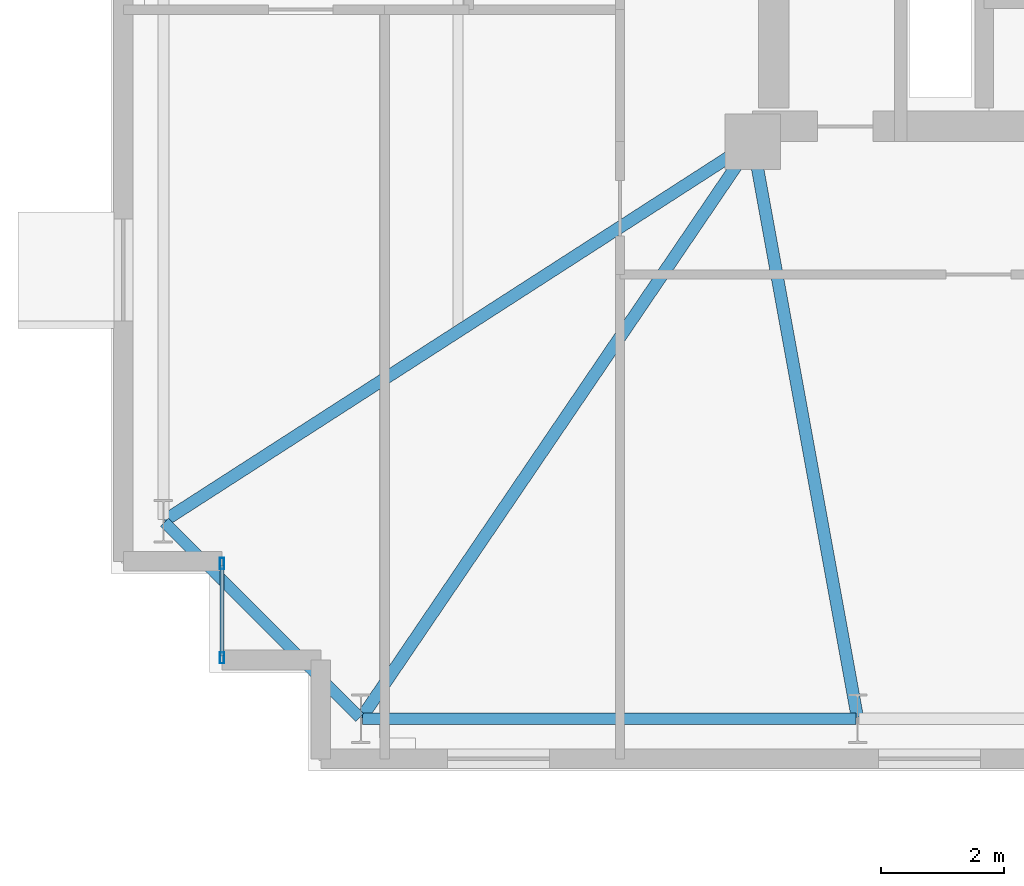
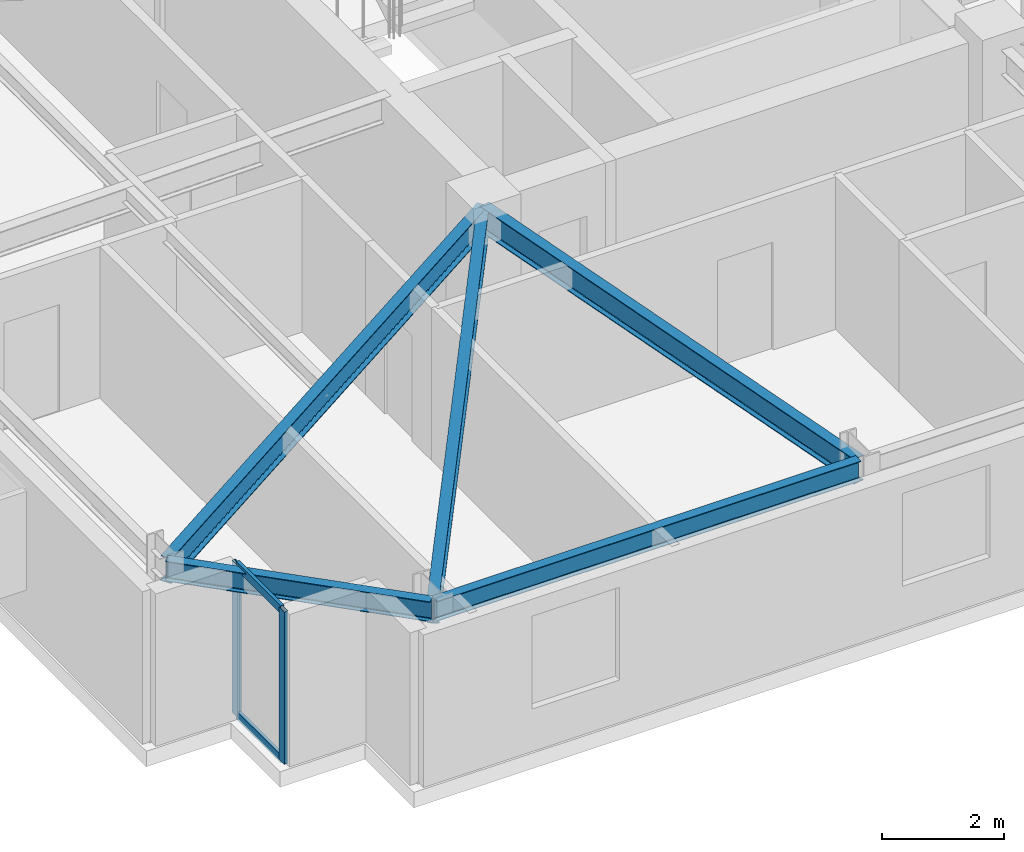
# One storey, part 3 of 17: 5 beams, 4 members, 1 element without a shape of its own.
"""IFC4 building model written with IfcOpenShell, lengths in metres."""

from ifc_helpers import new_model, si_unit, direction, frame, origin, origin_2d, place, context, subcontext, project, spatial, hollow_rectangle, i_section, extrude, material, layer, layer_set, material_profile, profile_set, type_object, element, aggregate, save


model = new_model("IFC4")

# Units and contexts
model_context = context("Model", 3, precision=1e-05, world=origin(), true_north=direction((0.0, 1.0)))
body_context = subcontext(model_context, "Body", "Model", "MODEL_VIEW")
ifc_project = project(units=[si_unit("LENGTHUNIT", "METRE"), si_unit("AREAUNIT", "SQUARE_METRE"), si_unit("VOLUMEUNIT", "CUBIC_METRE"), si_unit("PLANEANGLEUNIT", "RADIAN"), si_unit("MASSUNIT", "GRAM", prefix="KILO")], contexts=[model_context])

# Site, building, storey
site_placement = place(None, origin())
site = spatial("IfcSite", under=ifc_project, at=site_placement, CompositionType="ELEMENT")
building_placement = place(site_placement, origin())
building = spatial("IfcBuilding", under=site, at=building_placement, Name="Qobustan Lattice House", CompositionType="ELEMENT")
storey_placement = place(building_placement, frame((0.0, 0.0, 144.39990234375)))
storey = spatial("IfcBuildingStorey", under=building, at=storey_placement, Name="L40", CompositionType="ELEMENT", Elevation=144.39990234375)

# Beams
ifc_material_1 = material(Name="Steel S355", Category="steel")
ifc_material_profile_1 = material_profile(ifc_material_1, i_section(OverallWidth=0.199951171875, OverallDepth=0.5, WebThickness=0.01025390625, FlangeThickness=0.01611328125, FilletRadius=0.02099609375, at=origin_2d()), Name="IPE500")
ifc_profile_set_1 = profile_set([ifc_material_profile_1], Name="Steel S355")
beam_type_1 = type_object("IfcBeamType", Name="BM-FLG-IPE500", PredefinedType="USERDEFINED", material=ifc_profile_set_1)
beam_1_placement = place(storey_placement, frame((-25.135986328125, -14.92919921875, 2.7900390625), z_axis=(0.561834572616, 0.827249607442, 0.0), x_axis=(-0.827249607442, 0.561834572616, 0.0)))
element("IfcBeam", 1, at=beam_1_placement, inside=storey, type_object=beam_type_1, Name="L40 primary floor girder RAD-S1W", ObjectType="GIRDER", PredefinedType="USERDEFINED", context=body_context, shape_type="SweptSolid", body=[
    extrude(i_section(OverallWidth=0.199951171875, OverallDepth=0.5, WebThickness=0.01025390625, FlangeThickness=0.01611328125, FilletRadius=0.02099609375, at=origin_2d()), origin(), (0.0, 0.0, 1.0), 11.25244140625),
])
beam_2_placement = place(storey_placement, frame((-17.1044921875, -14.92529296875, 2.7900390625), z_axis=(-0.178871801984, 0.983872389314, 0.0), x_axis=(-0.983872389314, -0.178871801984, 0.0)))
element("IfcBeam", 2, at=beam_2_placement, inside=storey, type_object=beam_type_1, Name="L40 primary floor girder RAD-S2", ObjectType="GIRDER", PredefinedType="USERDEFINED", context=body_context, shape_type="SweptSolid", body=[
    extrude(i_section(OverallWidth=0.199951171875, OverallDepth=0.5, WebThickness=0.01025390625, FlangeThickness=0.01611328125, FilletRadius=0.02099609375, at=origin_2d()), origin(), (0.0, 0.0, 1.0), 9.453125),
])
beam_3_placement = place(storey_placement, frame((-28.3291015625, -11.736572265625, 2.7900390625), z_axis=(0.840746836292, 0.5414284415, 0.0), x_axis=(-0.5414284415, 0.840746836292, 0.0)))
element("IfcBeam", 3, at=beam_3_placement, inside=storey, type_object=beam_type_1, Name="L40 primary floor girder RAD-W4", ObjectType="GIRDER", PredefinedType="USERDEFINED", context=body_context, shape_type="SweptSolid", body=[
    extrude(i_section(OverallWidth=0.199951171875, OverallDepth=0.5, WebThickness=0.01025390625, FlangeThickness=0.01611328125, FilletRadius=0.02099609375, at=origin_2d()), origin(), (0.0, 0.0, 1.0), 11.30908203125),
])
ifc_material_2 = material(Name="Steel S355", Category="steel")
ifc_material_profile_2 = material_profile(ifc_material_2, i_section(OverallWidth=0.179931640625, OverallDepth=0.39990234375, WebThickness=0.008544921875, FlangeThickness=0.013427734375, FilletRadius=0.02099609375, at=origin_2d()), Name="IPE400")
ifc_profile_set_2 = profile_set([ifc_material_profile_2], Name="Steel S355")
beam_type_2 = type_object("IfcBeamType", Name="BM-SPD-IPE400", PredefinedType="SPANDREL", material=ifc_profile_set_2)
beam_4_placement = place(storey_placement, frame((-25.125, -14.949951171875, 2.840087890625), z_axis=(1.0, 0.0, 0.0), x_axis=(0.0, 1.0, 0.0)))
element("IfcBeam", 4, at=beam_4_placement, inside=storey, type_object=beam_type_2, Name="L40 perimeter spandrel S1-S2", PredefinedType="SPANDREL", context=body_context, shape_type="SweptSolid", body=[
    extrude(i_section(OverallWidth=0.179931640625, OverallDepth=0.39990234375, WebThickness=0.008544921875, FlangeThickness=0.013427734375, FilletRadius=0.02099609375, at=origin_2d()), origin(), (0.0, 0.0, 1.0), 8.0),
])
beam_5_placement = place(storey_placement, frame((-28.332275390625, -11.767578125, 2.840087890625), z_axis=(0.707079505568, -0.707134055753, 0.0), x_axis=(0.707134055753, 0.707079505568, 0.0)))
element("IfcBeam", 5, at=beam_5_placement, inside=storey, type_object=beam_type_2, Name="L40 perimeter spandrel W4-S1", PredefinedType="SPANDREL", context=body_context, shape_type="SweptSolid", body=[
    extrude(i_section(OverallWidth=0.179931640625, OverallDepth=0.39990234375, WebThickness=0.008544921875, FlangeThickness=0.013427734375, FilletRadius=0.02099609375, at=origin_2d()), origin(), (0.0, 0.0, 1.0), 4.4755859375),
])

# Curtain wall, members
ifc_material_3 = material(Name="Anodised aluminium and low-E glazing", Category="aluminium")
ifc_layer = layer(ifc_material_3, 0.219970703125)
ifc_layer_set = layer_set([ifc_layer], Name="Anodised aluminium and low-E glazing")
curtain_wall_type = type_object("IfcCurtainWallType", Name="CW-FAC-02", PredefinedType="USERDEFINED", material=ifc_layer_set)
curtain_wall_placement = place(storey_placement, origin())
curtain_wall = element("IfcCurtainWall", 6, at=curtain_wall_placement, inside=storey, type_object=curtain_wall_type, Name="L40 serrated corner faceted glazing 3", ObjectType="CURTAIN WALL", PredefinedType="USERDEFINED")
ifc_material_4 = material(Name="Anodised aluminium EN AW-6063 T6", Category="aluminium")
ifc_material_profile_3 = material_profile(ifc_material_4, hollow_rectangle(XDim=0.070068359375, YDim=0.179931640625, WallThickness=0.00439453125, at=origin_2d()), Name="CWM-180x70")
ifc_profile_set_3 = profile_set([ifc_material_profile_3], Name="Anodised aluminium EN AW-6063 T6")
member_type_1 = type_object("IfcMemberType", Name="CWM-STD-180", PredefinedType="MULLION", material=ifc_profile_set_3)
member_1_placement = place(storey_placement, frame((-27.39990234375, -13.965087890625, 0.0), z_axis=(0.0, 0.0, 1.0), x_axis=(-1.0, 0.0, 0.0)))
member_1 = element("IfcMember", 7, at=member_1_placement, type_object=member_type_1, Name="CW-F2 mullion 1", PredefinedType="MULLION", context=body_context, shape_type="SweptSolid", body=[
    extrude(hollow_rectangle(XDim=0.070068359375, YDim=0.179931640625, WallThickness=0.00439453125, at=origin_2d()), origin(), (0.0, 0.0, 1.0), 3.0400390625),
])
member_2_placement = place(storey_placement, frame((-27.39990234375, -12.43505859375, 0.0), z_axis=(0.0, 0.0, 1.0), x_axis=(-1.0, 0.0, 0.0)))
member_2 = element("IfcMember", 8, at=member_2_placement, type_object=member_type_1, Name="CW-F2 mullion 2", PredefinedType="MULLION", context=body_context, shape_type="SweptSolid", body=[
    extrude(hollow_rectangle(XDim=0.070068359375, YDim=0.179931640625, WallThickness=0.00439453125, at=origin_2d()), origin(), (0.0, 0.0, 1.0), 3.0400390625),
])
ifc_material_5 = material(Name="Anodised aluminium EN AW-6063 T6", Category="aluminium")
ifc_material_profile_4 = material_profile(ifc_material_5, hollow_rectangle(XDim=0.06494140625, YDim=0.159912109375, WallThickness=0.00390625, at=origin_2d()), Name="CWT-160x65")
ifc_profile_set_4 = profile_set([ifc_material_profile_4], Name="Anodised aluminium EN AW-6063 T6")
member_type_2 = type_object("IfcMemberType", Name="CWT-HOR-160", PredefinedType="USERDEFINED", material=ifc_profile_set_4)
member_3_placement = place(storey_placement, frame((-27.39990234375, -13.929931640625, 0.03271484375), z_axis=(0.0, 1.0, 0.0), x_axis=(-1.0, 0.0, 0.0)))
member_3 = element("IfcMember", 9, at=member_3_placement, type_object=member_type_2, Name="CW-F2 transom 1.1", ObjectType="TRANSOM", PredefinedType="USERDEFINED", context=body_context, shape_type="SweptSolid", body=[
    extrude(hollow_rectangle(XDim=0.06494140625, YDim=0.159912109375, WallThickness=0.00390625, at=origin_2d()), origin(), (0.0, 0.0, 1.0), 1.4599609375),
])
member_4_placement = place(storey_placement, frame((-27.39990234375, -13.929931640625, 3.007568359375), z_axis=(0.0, 1.0, 0.0), x_axis=(-1.0, 0.0, 0.0)))
member_4 = element("IfcMember", 10, at=member_4_placement, type_object=member_type_2, Name="CW-F2 transom 1.2", ObjectType="TRANSOM", PredefinedType="USERDEFINED", context=body_context, shape_type="SweptSolid", body=[
    extrude(hollow_rectangle(XDim=0.06494140625, YDim=0.159912109375, WallThickness=0.00390625, at=origin_2d()), origin(), (0.0, 0.0, 1.0), 1.4599609375),
])
aggregate(curtain_wall, [member_1, member_2, member_3, member_4])

save(model, "model.ifc")
